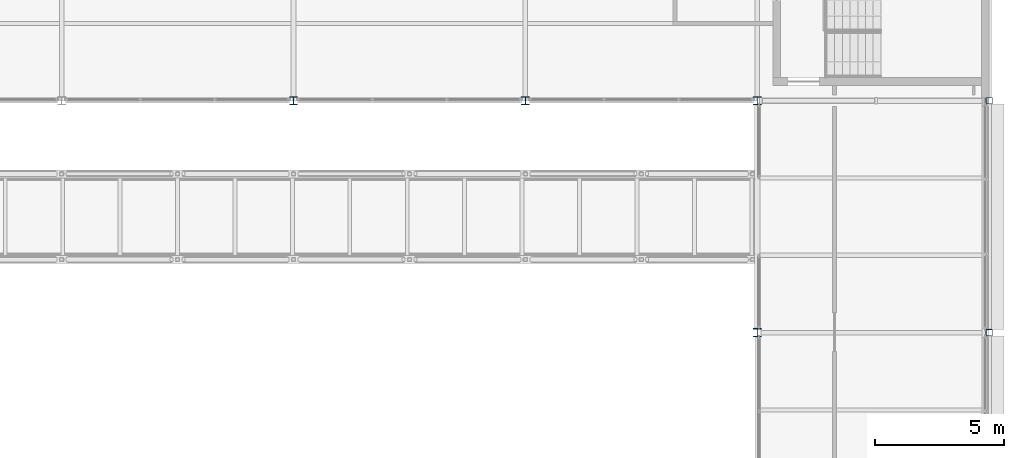
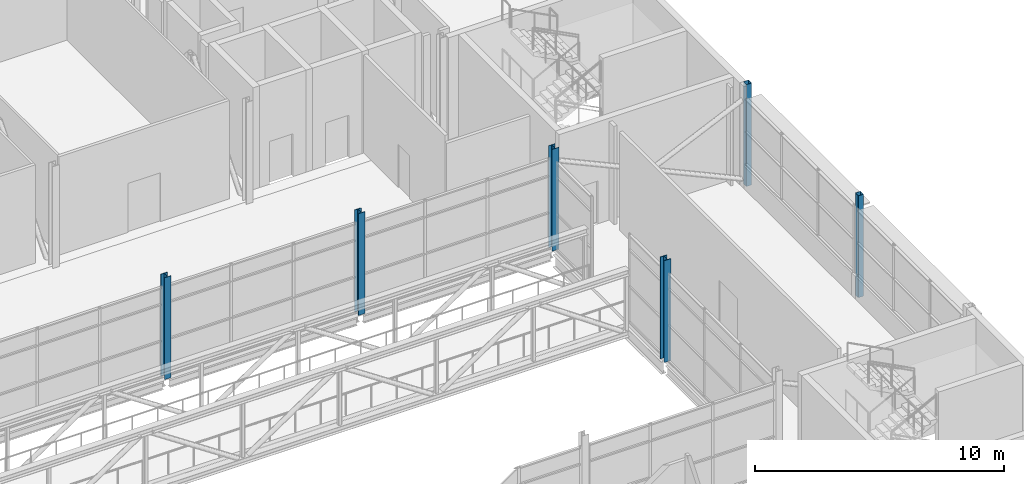
# One storey, part 4 of 94: 6 columns.
"""IFC4 building model written with IfcOpenShell, lengths in metres."""

import ifcopenshell
import ifcopenshell.guid

model = None  # the IFC model being written
_history = None  # IfcOwnerHistory: only IFC2X3 demands one
_inside = {}  # id of a spatial element -> (the spatial element, [elements in it])
_under = {}  # id of a project, library or spatial element -> (it, [spatial elements below it])
_declared = {}  # id of a project -> (the project, [libraries it declares])
_typed = {}  # id of a type object -> (the type object, [elements of that type])
_made_of = {}  # id of a material, layer set ... -> (it, [elements and type objects made of it])


def new_model(schema):
    """Start an empty IFC model of exactly this schema.

    Asked for "IFC4X3", IfcOpenShell would pick the latest addendum, in which some entities
    have other attributes; the version numbers below select the first issue.
    IFC2X3 requires an IfcOwnerHistory on every rooted entity: one is made here for all.
    """
    global model, _history
    if schema == "IFC4X3":
        model = ifcopenshell.file(schema_version=(4, 3, 0, 0))
    else:
        model = ifcopenshell.file(schema=schema)
    _inside.clear()
    _under.clear()
    _declared.clear()
    _typed.clear()
    _made_of.clear()
    _history = None
    if model.schema == "IFC2X3":
        org = make("IfcOrganization", Name="unknown")
        user = make(
            "IfcPersonAndOrganization",
            ThePerson=make("IfcPerson", FamilyName="unknown"),
            TheOrganization=org,
        )
        app = make(
            "IfcApplication",
            ApplicationDeveloper=org,
            Version="unknown",
            ApplicationFullName="unknown",
            ApplicationIdentifier="unknown",
        )
        _history = make(
            "IfcOwnerHistory",
            OwningUser=user,
            OwningApplication=app,
            ChangeAction="ADDED",
            CreationDate=0,
        )
    return model


def make(cls, **values):
    """One entity of the class cls with the attributes given. An attribute that is None is left unset."""
    return model.create_entity(
        cls, **{name: value for name, value in values.items() if value is not None}
    )


def rooted(cls, **values):
    """An entity with a GlobalId (a new one), such as an element, a storey or a relation."""
    return make(cls, GlobalId=ifcopenshell.guid.new(), OwnerHistory=_history, **values)


def si_unit(unit_type, name, prefix=None):
    """IfcSIUnit, for example si_unit("LENGTHUNIT", "METRE", prefix="MILLI")."""
    return make("IfcSIUnit", UnitType=unit_type, Prefix=prefix, Name=name)


def assignment(units):
    """IfcUnitAssignment: the units of a project."""
    return None if units is None else make("IfcUnitAssignment", Units=units)


def point(xyz):
    """IfcCartesianPoint."""
    return None if xyz is None else make("IfcCartesianPoint", Coordinates=xyz)


def direction(xyz):
    """IfcDirection."""
    return None if xyz is None else make("IfcDirection", DirectionRatios=xyz)


def frame(location, z_axis=None, x_axis=None):
    """IfcAxis2Placement3D, a coordinate frame: its origin and axes. An axis left out is left unset."""
    return make(
        "IfcAxis2Placement3D",
        Location=point(location),
        Axis=direction(z_axis),
        RefDirection=direction(x_axis),
    )


def frame_2d(location, x_axis=None):
    """IfcAxis2Placement2D, a coordinate frame in the plane: its origin and x axis."""
    return make(
        "IfcAxis2Placement2D", Location=point(location), RefDirection=direction(x_axis)
    )


def origin():
    """The frame at (0, 0, 0) with its axes left unset."""
    return frame((0.0, 0.0, 0.0))


def origin_2d():
    """The frame at (0, 0) in the plane with its x axis left unset."""
    return frame_2d((0.0, 0.0))


def place(relative_to, where):
    """IfcLocalPlacement: puts the frame where relative to a parent placement (None: the world)."""
    return make(
        "IfcLocalPlacement", PlacementRelTo=relative_to, RelativePlacement=where
    )


def context(
    kind, dimensions, precision=None, world=None, true_north=None, identifier=None
):
    """IfcGeometricRepresentationContext, for example the 3D "Model" context."""
    return make(
        "IfcGeometricRepresentationContext",
        ContextIdentifier=identifier,
        ContextType=kind,
        CoordinateSpaceDimension=dimensions,
        Precision=precision,
        WorldCoordinateSystem=world,
        TrueNorth=true_north,
    )


def subcontext(parent, identifier, kind, view, scale=None):
    """IfcGeometricRepresentationSubContext, for example "Body" below "Model"."""
    return make(
        "IfcGeometricRepresentationSubContext",
        ContextIdentifier=identifier,
        ContextType=kind,
        ParentContext=parent,
        TargetScale=scale,
        TargetView=view,
    )


def project(units=None, contexts=None):
    """IfcProject with its units and contexts."""
    return rooted(
        "IfcProject",
        Name="project",
        RepresentationContexts=contexts,
        UnitsInContext=assignment(units),
    )


def spatial(cls, under=None, at=None, **own):
    """A site, building, storey or space (cls), placed at a placement, below another one or the project."""
    s = rooted(cls, ObjectPlacement=at, **own)
    if under is not None:
        _under.setdefault(under.id(), (under, []))[1].append(s)
    return s


def profile(cls, at=None, kind="AREA", **sizes):
    """A parametric profile (cls). Its sizes go by their IFC names, for example OverallWidth=200.0."""
    return make(cls, ProfileType=kind, Position=at, **sizes)


def hollow_rectangle(**sizes):
    """IfcRectangleHollowProfileDef."""
    return profile("IfcRectangleHollowProfileDef", **sizes)


def i_section(**sizes):
    """IfcIShapeProfileDef."""
    return profile("IfcIShapeProfileDef", **sizes)


def extrude(swept, where, along, depth):
    """IfcExtrudedAreaSolid: the profile swept, set in the frame where, extruded along a direction by depth."""
    return make(
        "IfcExtrudedAreaSolid",
        SweptArea=swept,
        Position=where,
        ExtrudedDirection=direction(along),
        Depth=depth,
    )


def shape(context_of_items, identifier, shape_type, items):
    """IfcShapeRepresentation: the items that make up one representation, for example the "Body"."""
    return make(
        "IfcShapeRepresentation",
        ContextOfItems=context_of_items,
        RepresentationIdentifier=identifier,
        RepresentationType=shape_type,
        Items=items,
    )


def material(Name=None, Category=None):
    """IfcMaterial."""
    return make("IfcMaterial", Name=Name, Category=Category)


def material_profile(
    of_material, cross_section, Name=None, Category=None, Priority=None
):
    """IfcMaterialProfile: a cross section and its material."""
    return make(
        "IfcMaterialProfile",
        Name=Name,
        Material=of_material,
        Profile=cross_section,
        Priority=Priority,
        Category=Category,
    )


def profile_set(profiles, Name=None, composite=None):
    """IfcMaterialProfileSet."""
    return make(
        "IfcMaterialProfileSet",
        Name=Name,
        MaterialProfiles=profiles,
        CompositeProfile=composite,
    )


def made_of(thing, what):
    """Note that an element or type object is made of a material, layer set ...; save() writes the relation."""
    if what is not None:
        _made_of.setdefault(what.id(), (what, []))[1].append(thing)
    return thing


def type_object(cls, material=None, **own):
    """A type object (cls), such as IfcWallType, which elements share."""
    return made_of(rooted(cls, **own), material)


def element(
    cls,
    number,
    at=None,
    inside=None,
    cuts=None,
    type_object=None,
    material=None,
    context=None,
    identifier="Body",
    shape_type=None,
    held_by="IfcProductDefinitionShape",
    body=None,
    shapes=None,
    **own,
):
    """One element of the class cls, such as IfcWall. Its Tag is "e" and its number.

    at: its placement. inside: the storey or other place that contains it. cuts: it is an
    opening in that element (IfcRelVoidsElement). A single representation is given by context,
    identifier, shape_type and body (its items); several are given by shapes. held_by: the class
    of the entity that holds the representations. save() writes the other relations.
    """
    e = rooted(cls, Tag="e%d" % number, ObjectPlacement=at, **own)
    if body is not None:
        shapes = [shape(context, identifier, shape_type, body)]
    if shapes is not None:
        e.Representation = make(held_by, Representations=shapes)
    if inside is not None:
        _inside.setdefault(inside.id(), (inside, []))[1].append(e)
    if cuts is not None:
        rooted(
            "IfcRelVoidsElement", RelatingBuildingElement=cuts, RelatedOpeningElement=e
        )
    if type_object is not None:
        _typed.setdefault(type_object.id(), (type_object, []))[1].append(e)
    return made_of(e, material)


def aggregate(whole, parts):
    """IfcRelAggregates: a whole, such as a stair, and the parts it consists of."""
    return rooted("IfcRelAggregates", RelatingObject=whole, RelatedObjects=parts)


def save(model, path):
    """Write the relations noted so far, then the file.

    IfcRelAggregates (storeys below a building ...), IfcRelContainedInSpatialStructure (elements
    in a storey), IfcRelDefinesByType, IfcRelAssociatesMaterial and IfcRelDeclares: one each for
    every whole, place, type object, material and project.
    """
    for whole, parts in _under.values():
        aggregate(whole, parts)
    for where, things in _inside.values():
        rooted(
            "IfcRelContainedInSpatialStructure",
            RelatedElements=things,
            RelatingStructure=where,
        )
    for kind, things in _typed.values():
        rooted("IfcRelDefinesByType", RelatedObjects=things, RelatingType=kind)
    for what, things in _made_of.values():
        rooted("IfcRelAssociatesMaterial", RelatedObjects=things, RelatingMaterial=what)
    for by, libraries in _declared.values():
        rooted("IfcRelDeclares", RelatingContext=by, RelatedDefinitions=libraries)
    model.write(path)


model = new_model("IFC4")

# Units and contexts
model_context = context("Model", 3, precision=1e-05, world=origin(), true_north=direction((0.0, 1.0)))
body_context = subcontext(model_context, "Body", "Model", "MODEL_VIEW")
ifc_project = project(units=[si_unit("LENGTHUNIT", "METRE"), si_unit("AREAUNIT", "SQUARE_METRE"), si_unit("VOLUMEUNIT", "CUBIC_METRE"), si_unit("PLANEANGLEUNIT", "RADIAN"), si_unit("MASSUNIT", "GRAM", prefix="KILO")], contexts=[model_context])

# Site, building, storey
site_placement = place(None, origin())
site = spatial("IfcSite", under=ifc_project, at=site_placement, CompositionType="ELEMENT")
building_placement = place(site_placement, origin())
building = spatial("IfcBuilding", under=site, at=building_placement, Name="Shorebreak Coast Museum", CompositionType="ELEMENT")
storey_placement = place(building_placement, frame((0.0, 0.0, 31.0)))
storey = spatial("IfcBuildingStorey", under=building, at=storey_placement, Name="L05", CompositionType="ELEMENT", Elevation=31.0)

# Columns
ifc_material_1 = material(Name="Steel Grade C450L0", Category="steel")
ifc_material_profile_1 = material_profile(ifc_material_1, hollow_rectangle(XDim=0.25, YDim=0.25, WallThickness=0.009033203125, InnerFilletRadius=0.013427734375, OuterFilletRadius=0.0224609375, at=origin_2d()), Name="250x250x9.0 SHS")
ifc_profile_set_1 = profile_set([ifc_material_profile_1], Name="Steel Grade C450L0")
column_type_1 = type_object("IfcColumnType", Name="Column 250x250x9.0 SHS", PredefinedType="COLUMN", material=ifc_profile_set_1)
for number, where, z_axis, x_axis, name in (
    (1, (117.0, 72.0, 0.0), (0.0, 0.0, 1.0), (1.0, 0.0, 0.0), "Column L05 14J"),
    (2, (117.0, 81.0, 0.0), (0.0, 0.0, 1.0), (1.0, 0.0, 0.0), "Column L05 14K"),
):
    element("IfcColumn", number, at=place(storey_placement, frame(where, z_axis=z_axis, x_axis=x_axis)), inside=storey, type_object=column_type_1, Name=name, PredefinedType="COLUMN", context=body_context, shape_type="SweptSolid", body=[
        extrude(hollow_rectangle(XDim=0.25, YDim=0.25, WallThickness=0.009033203125, InnerFilletRadius=0.013427734375, OuterFilletRadius=0.0224609375, at=origin_2d()), origin(), (0.0, 0.0, 1.0), 5.0),
    ])
ifc_material_2 = material(Name="Steel Grade 300", Category="steel")
ifc_material_profile_2 = material_profile(ifc_material_2, i_section(OverallWidth=0.306884765625, OverallDepth=0.314697265625, WebThickness=0.011962890625, FlangeThickness=0.018798828125, FilletRadius=0.0166015625, at=origin_2d()), Name="310UC118")
ifc_profile_set_2 = profile_set([ifc_material_profile_2], Name="Steel Grade 300")
column_type_2 = type_object("IfcColumnType", Name="Column 310UC118", PredefinedType="COLUMN", material=ifc_profile_set_2)
for number, where, z_axis, x_axis, name in (
    (3, (90.0, 81.0, 0.0), (0.0, 0.0, 1.0), (1.0, 0.0, 0.0), "Column L05 11K"),
    (4, (99.0, 81.0, 0.0), (0.0, 0.0, 1.0), (1.0, 0.0, 0.0), "Column L05 12K"),
    (5, (108.0, 81.0, 0.0), (0.0, 0.0, 1.0), (1.0, 0.0, 0.0), "Column L05 13K"),
):
    element("IfcColumn", number, at=place(storey_placement, frame(where, z_axis=z_axis, x_axis=x_axis)), inside=storey, type_object=column_type_2, Name=name, PredefinedType="COLUMN", context=body_context, shape_type="SweptSolid", body=[
        extrude(i_section(OverallWidth=0.306884765625, OverallDepth=0.314697265625, WebThickness=0.011962890625, FlangeThickness=0.018798828125, FilletRadius=0.0166015625, at=origin_2d()), origin(), (0.0, 0.0, 1.0), 5.0),
    ])
ifc_material_3 = material(Name="Steel Grade 300", Category="steel")
ifc_material_profile_3 = material_profile(ifc_material_3, i_section(OverallWidth=0.31103515625, OverallDepth=0.3271484375, WebThickness=0.015625, FlangeThickness=0.02490234375, FilletRadius=0.0166015625, at=origin_2d()), Name="310UC158")
ifc_profile_set_3 = profile_set([ifc_material_profile_3], Name="Steel Grade 300")
column_type_3 = type_object("IfcColumnType", Name="Column 310UC158", PredefinedType="COLUMN", material=ifc_profile_set_3)
column_placement = place(storey_placement, frame((108.0, 72.0, 0.0), z_axis=(0.0, 0.0, 1.0), x_axis=(1.0, 0.0, 0.0)))
element("IfcColumn", 6, at=column_placement, inside=storey, type_object=column_type_3, Name="Column L05 13J", PredefinedType="COLUMN", context=body_context, shape_type="SweptSolid", body=[
    extrude(i_section(OverallWidth=0.31103515625, OverallDepth=0.3271484375, WebThickness=0.015625, FlangeThickness=0.02490234375, FilletRadius=0.0166015625, at=origin_2d()), origin(), (0.0, 0.0, 1.0), 5.0),
])

save(model, "model.ifc")
